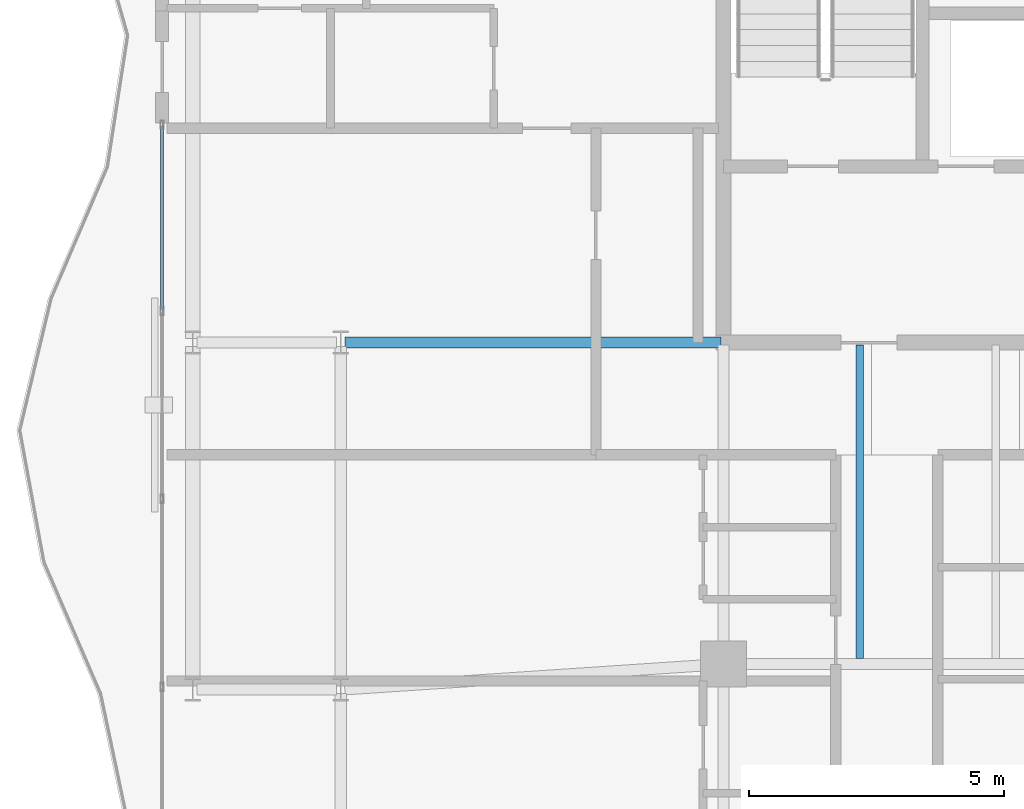
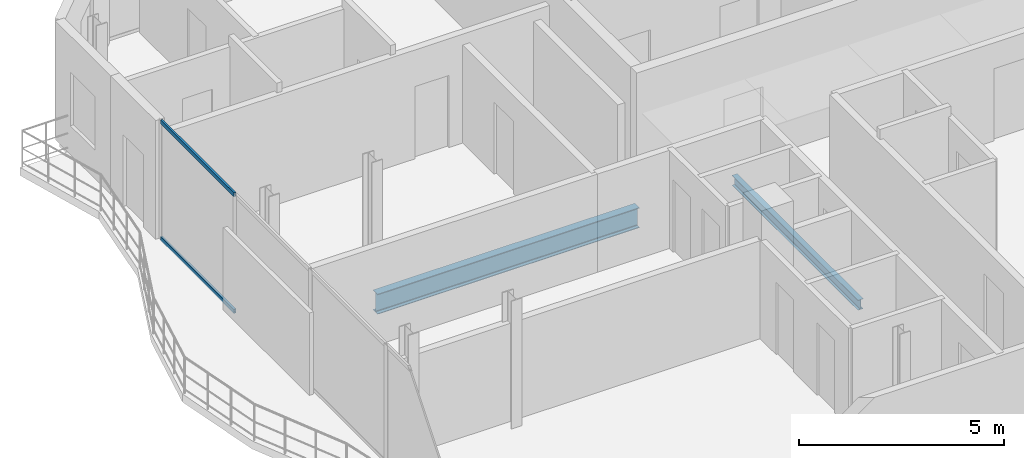
# One storey, part 11 of 22: 2 beams, 2 members, 1 element without a shape of its own.
"""IFC4 building model written with IfcOpenShell, lengths in metres."""

from ifc_helpers import new_model, si_unit, direction, frame, origin, origin_2d, place, context, subcontext, project, spatial, hollow_rectangle, i_section, extrude, material, layer, layer_set, material_profile, profile_set, type_object, element, aggregate, save


model = new_model("IFC4")

# Units and contexts
model_context = context("Model", 3, precision=1e-05, world=origin(), true_north=direction((0.0, 1.0)))
body_context = subcontext(model_context, "Body", "Model", "MODEL_VIEW")
ifc_project = project(units=[si_unit("LENGTHUNIT", "METRE"), si_unit("AREAUNIT", "SQUARE_METRE"), si_unit("VOLUMEUNIT", "CUBIC_METRE"), si_unit("PLANEANGLEUNIT", "RADIAN"), si_unit("MASSUNIT", "GRAM", prefix="KILO")], contexts=[model_context])

# Site, building, storey
site_placement = place(None, origin())
site = spatial("IfcSite", under=ifc_project, at=site_placement, CompositionType="ELEMENT")
building_placement = place(site_placement, origin())
building = spatial("IfcBuilding", under=site, at=building_placement, Name="Catumbela Crestline Tower", CompositionType="ELEMENT")
storey_placement = place(building_placement, frame((0.0, 0.0, 229.8)))
storey = spatial("IfcBuildingStorey", under=building, at=storey_placement, Name="L59", CompositionType="ELEMENT", Elevation=229.8)

# Beams
ifc_material_1 = material(Name="Structural steel S355J2", Category="steel")
ifc_material_profile_1 = material_profile(ifc_material_1, i_section(OverallWidth=0.22, OverallDepth=0.6, WebThickness=0.012, FlangeThickness=0.019, FilletRadius=0.024, at=origin_2d()), Name="IPE 600")
ifc_profile_set_1 = profile_set([ifc_material_profile_1], Name="Structural steel S355J2")
beam_type_1 = type_object("IfcBeamType", Name="BG-IPE600", PredefinedType="BEAM", material=ifc_profile_set_1)
beam_1_placement = place(storey_placement, frame((8.58, 30.8, -0.56), z_axis=(1.0, 0.0, 0.0), x_axis=(0.0, 1.0, 0.0)))
element("IfcBeam", 1, at=beam_1_placement, inside=storey, type_object=beam_type_1, Name="L59 Beam BM-L59-M07", PredefinedType="BEAM", context=body_context, shape_type="SweptSolid", body=[
    extrude(i_section(OverallWidth=0.22, OverallDepth=0.6, WebThickness=0.012, FlangeThickness=0.019, FilletRadius=0.024, at=origin_2d()), origin(), (0.0, 0.0, 1.0), 7.37),
])
ifc_material_profile_2 = material_profile(ifc_material_1, i_section(OverallWidth=0.15, OverallDepth=0.3, WebThickness=0.0071, FlangeThickness=0.0107, FilletRadius=0.015, at=origin_2d()), Name="IPE 300")
ifc_profile_set_2 = profile_set([ifc_material_profile_2], Name="Structural steel S355J2")
beam_type_2 = type_object("IfcBeamType", Name="BJ-IPE300", PredefinedType="JOIST", material=ifc_profile_set_2)
beam_2_placement = place(storey_placement, frame((18.667, 24.61, -0.41), z_axis=(0.0, 1.0, 0.0), x_axis=(-1.0, 0.0, 0.0)))
element("IfcBeam", 2, at=beam_2_placement, inside=storey, type_object=beam_type_2, Name="L59 Joist JS-L59-SP21", PredefinedType="JOIST", context=body_context, shape_type="SweptSolid", body=[
    extrude(i_section(OverallWidth=0.15, OverallDepth=0.3, WebThickness=0.0071, FlangeThickness=0.0107, FilletRadius=0.015, at=origin_2d()), origin(), (0.0, 0.0, 1.0), 6.14),
])

# Curtain wall, members
ifc_material_2 = material(Name="Aluminium alloy AW-6060-T66", Category="aluminium")
ifc_layer = layer(ifc_material_2, 0.18, Name="Aluminium alloy AW-6060-T66")
ifc_layer_set = layer_set([ifc_layer], Name="Aluminium alloy AW-6060-T66")
curtain_wall_type = type_object("IfcCurtainWallType", Name="CWU-Z4", PredefinedType="USERDEFINED", material=ifc_layer_set)
curtain_wall_placement = place(storey_placement, origin())
curtain_wall = element("IfcCurtainWall", 3, at=curtain_wall_placement, inside=storey, type_object=curtain_wall_type, Name="L59 Unitised Curtain Wall CW-L59-E9S2", ObjectType="UNITISED", PredefinedType="USERDEFINED")
ifc_material_profile_3 = material_profile(ifc_material_2, hollow_rectangle(XDim=0.06, YDim=0.12, WallThickness=0.0035, at=origin_2d()), Name="ALU 120x60x3.5")
ifc_profile_set_3 = profile_set([ifc_material_profile_3], Name="Aluminium alloy AW-6060-T66")
member_type = type_object("IfcMemberType", Name="TRN-120X60", PredefinedType="USERDEFINED", material=ifc_profile_set_3)
member_1_placement = place(storey_placement, frame((5.0, 35.035, 0.03), z_axis=(0.0, -1.0, 0.0), x_axis=(1.0, 0.0, 0.0)))
member_1 = element("IfcMember", 4, at=member_1_placement, type_object=member_type, Name="CWU-Z4 transom 1.1", ObjectType="TRANSOM", PredefinedType="USERDEFINED", context=body_context, shape_type="SweptSolid", body=[
    extrude(hollow_rectangle(XDim=0.06, YDim=0.12, WallThickness=0.0035, at=origin_2d()), origin(), (0.0, 0.0, 1.0), 3.5858),
])
member_2_placement = place(storey_placement, frame((5.0, 35.035, 3.5), z_axis=(0.0, -1.0, 0.0), x_axis=(1.0, 0.0, 0.0)))
member_2 = element("IfcMember", 5, at=member_2_placement, type_object=member_type, Name="CWU-Z4 transom 1.2", ObjectType="TRANSOM", PredefinedType="USERDEFINED", context=body_context, shape_type="SweptSolid", body=[
    extrude(hollow_rectangle(XDim=0.06, YDim=0.12, WallThickness=0.0035, at=origin_2d()), origin(), (0.0, 0.0, 1.0), 3.5858),
])
aggregate(curtain_wall, [member_1, member_2])

save(model, "model.ifc")
